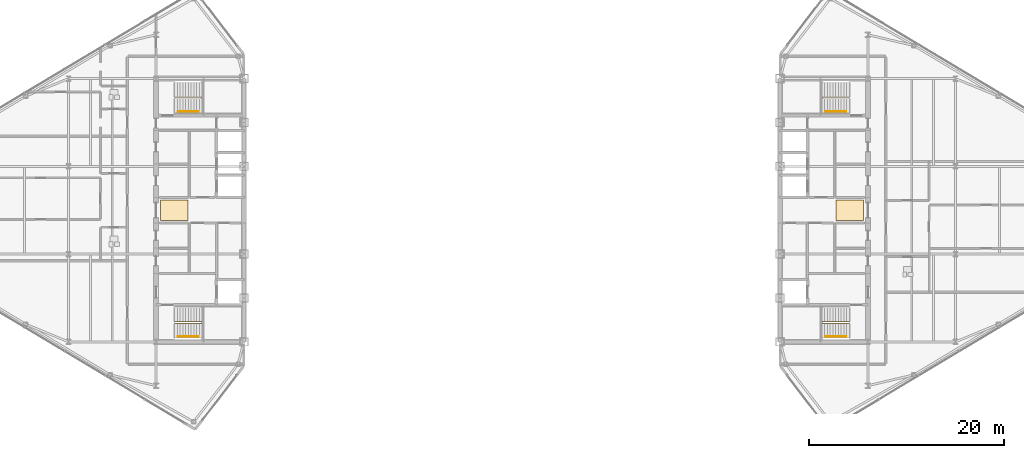
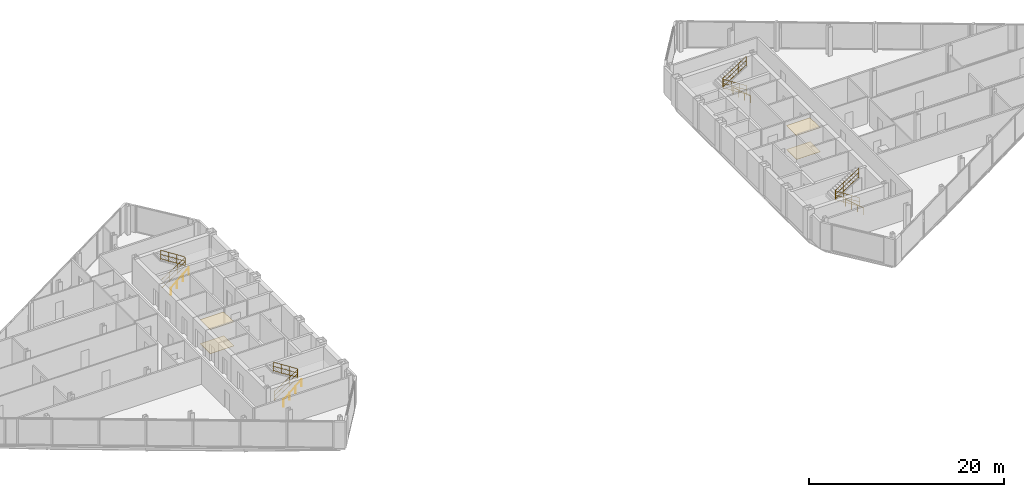
# One storey, part 25 of 26: 8 railings, 4 coverings.
"""IFC4 building model written with IfcOpenShell, lengths in metres."""

import ifcopenshell
import ifcopenshell.guid

model = None  # the IFC model being written
_history = None  # IfcOwnerHistory: only IFC2X3 demands one
_inside = {}  # id of a spatial element -> (the spatial element, [elements in it])
_under = {}  # id of a project, library or spatial element -> (it, [spatial elements below it])
_declared = {}  # id of a project -> (the project, [libraries it declares])
_typed = {}  # id of a type object -> (the type object, [elements of that type])
_made_of = {}  # id of a material, layer set ... -> (it, [elements and type objects made of it])


def new_model(schema):
    """Start an empty IFC model of exactly this schema.

    Asked for "IFC4X3", IfcOpenShell would pick the latest addendum, in which some entities
    have other attributes; the version numbers below select the first issue.
    IFC2X3 requires an IfcOwnerHistory on every rooted entity: one is made here for all.
    """
    global model, _history
    if schema == "IFC4X3":
        model = ifcopenshell.file(schema_version=(4, 3, 0, 0))
    else:
        model = ifcopenshell.file(schema=schema)
    _inside.clear()
    _under.clear()
    _declared.clear()
    _typed.clear()
    _made_of.clear()
    _history = None
    if model.schema == "IFC2X3":
        org = make("IfcOrganization", Name="unknown")
        user = make(
            "IfcPersonAndOrganization",
            ThePerson=make("IfcPerson", FamilyName="unknown"),
            TheOrganization=org,
        )
        app = make(
            "IfcApplication",
            ApplicationDeveloper=org,
            Version="unknown",
            ApplicationFullName="unknown",
            ApplicationIdentifier="unknown",
        )
        _history = make(
            "IfcOwnerHistory",
            OwningUser=user,
            OwningApplication=app,
            ChangeAction="ADDED",
            CreationDate=0,
        )
    return model


def make(cls, **values):
    """One entity of the class cls with the attributes given. An attribute that is None is left unset."""
    return model.create_entity(
        cls, **{name: value for name, value in values.items() if value is not None}
    )


def rooted(cls, **values):
    """An entity with a GlobalId (a new one), such as an element, a storey or a relation."""
    return make(cls, GlobalId=ifcopenshell.guid.new(), OwnerHistory=_history, **values)


def si_unit(unit_type, name, prefix=None):
    """IfcSIUnit, for example si_unit("LENGTHUNIT", "METRE", prefix="MILLI")."""
    return make("IfcSIUnit", UnitType=unit_type, Prefix=prefix, Name=name)


def assignment(units):
    """IfcUnitAssignment: the units of a project."""
    return None if units is None else make("IfcUnitAssignment", Units=units)


def point(xyz):
    """IfcCartesianPoint."""
    return None if xyz is None else make("IfcCartesianPoint", Coordinates=xyz)


def direction(xyz):
    """IfcDirection."""
    return None if xyz is None else make("IfcDirection", DirectionRatios=xyz)


def frame(location, z_axis=None, x_axis=None):
    """IfcAxis2Placement3D, a coordinate frame: its origin and axes. An axis left out is left unset."""
    return make(
        "IfcAxis2Placement3D",
        Location=point(location),
        Axis=direction(z_axis),
        RefDirection=direction(x_axis),
    )


def frame_2d(location, x_axis=None):
    """IfcAxis2Placement2D, a coordinate frame in the plane: its origin and x axis."""
    return make(
        "IfcAxis2Placement2D", Location=point(location), RefDirection=direction(x_axis)
    )


def origin():
    """The frame at (0, 0, 0) with its axes left unset."""
    return frame((0.0, 0.0, 0.0))


def origin_2d():
    """The frame at (0, 0) in the plane with its x axis left unset."""
    return frame_2d((0.0, 0.0))


def place(relative_to, where):
    """IfcLocalPlacement: puts the frame where relative to a parent placement (None: the world)."""
    return make(
        "IfcLocalPlacement", PlacementRelTo=relative_to, RelativePlacement=where
    )


def context(
    kind, dimensions, precision=None, world=None, true_north=None, identifier=None
):
    """IfcGeometricRepresentationContext, for example the 3D "Model" context."""
    return make(
        "IfcGeometricRepresentationContext",
        ContextIdentifier=identifier,
        ContextType=kind,
        CoordinateSpaceDimension=dimensions,
        Precision=precision,
        WorldCoordinateSystem=world,
        TrueNorth=true_north,
    )


def subcontext(parent, identifier, kind, view, scale=None):
    """IfcGeometricRepresentationSubContext, for example "Body" below "Model"."""
    return make(
        "IfcGeometricRepresentationSubContext",
        ContextIdentifier=identifier,
        ContextType=kind,
        ParentContext=parent,
        TargetScale=scale,
        TargetView=view,
    )


def project(units=None, contexts=None):
    """IfcProject with its units and contexts."""
    return rooted(
        "IfcProject",
        Name="project",
        RepresentationContexts=contexts,
        UnitsInContext=assignment(units),
    )


def spatial(cls, under=None, at=None, **own):
    """A site, building, storey or space (cls), placed at a placement, below another one or the project."""
    s = rooted(cls, ObjectPlacement=at, **own)
    if under is not None:
        _under.setdefault(under.id(), (under, []))[1].append(s)
    return s


def polyline(points):
    """IfcPolyline through the points."""
    return make("IfcPolyline", Points=[point(p) for p in points])


def profile(cls, at=None, kind="AREA", **sizes):
    """A parametric profile (cls). Its sizes go by their IFC names, for example OverallWidth=200.0."""
    return make(cls, ProfileType=kind, Position=at, **sizes)


def circle(**sizes):
    """IfcCircleProfileDef."""
    return profile("IfcCircleProfileDef", **sizes)


def outline(outer, holes=None, kind="AREA"):
    """IfcArbitraryClosedProfileDef: a profile drawn as a closed curve; with holes, ...WithVoids."""
    if holes is None:
        return make("IfcArbitraryClosedProfileDef", ProfileType=kind, OuterCurve=outer)
    return make(
        "IfcArbitraryProfileDefWithVoids",
        ProfileType=kind,
        OuterCurve=outer,
        InnerCurves=holes,
    )


def extrude(swept, where, along, depth):
    """IfcExtrudedAreaSolid: the profile swept, set in the frame where, extruded along a direction by depth."""
    return make(
        "IfcExtrudedAreaSolid",
        SweptArea=swept,
        Position=where,
        ExtrudedDirection=direction(along),
        Depth=depth,
    )


def shape(context_of_items, identifier, shape_type, items):
    """IfcShapeRepresentation: the items that make up one representation, for example the "Body"."""
    return make(
        "IfcShapeRepresentation",
        ContextOfItems=context_of_items,
        RepresentationIdentifier=identifier,
        RepresentationType=shape_type,
        Items=items,
    )


def material(Name=None, Category=None):
    """IfcMaterial."""
    return make("IfcMaterial", Name=Name, Category=Category)


def layer(
    of_material, thickness, ventilated=None, Name=None, Category=None, Priority=None
):
    """IfcMaterialLayer: one layer of a wall or slab, of a material (None: an air gap)."""
    return make(
        "IfcMaterialLayer",
        Material=of_material,
        LayerThickness=thickness,
        IsVentilated=ventilated,
        Name=Name,
        Category=Category,
        Priority=Priority,
    )


def layer_set(layers, Name=None):
    """IfcMaterialLayerSet."""
    return make("IfcMaterialLayerSet", MaterialLayers=layers, LayerSetName=Name)


def made_of(thing, what):
    """Note that an element or type object is made of a material, layer set ...; save() writes the relation."""
    if what is not None:
        _made_of.setdefault(what.id(), (what, []))[1].append(thing)
    return thing


def type_object(cls, material=None, **own):
    """A type object (cls), such as IfcWallType, which elements share."""
    return made_of(rooted(cls, **own), material)


def element(
    cls,
    number,
    at=None,
    inside=None,
    cuts=None,
    type_object=None,
    material=None,
    context=None,
    identifier="Body",
    shape_type=None,
    held_by="IfcProductDefinitionShape",
    body=None,
    shapes=None,
    **own,
):
    """One element of the class cls, such as IfcWall. Its Tag is "e" and its number.

    at: its placement. inside: the storey or other place that contains it. cuts: it is an
    opening in that element (IfcRelVoidsElement). A single representation is given by context,
    identifier, shape_type and body (its items); several are given by shapes. held_by: the class
    of the entity that holds the representations. save() writes the other relations.
    """
    e = rooted(cls, Tag="e%d" % number, ObjectPlacement=at, **own)
    if body is not None:
        shapes = [shape(context, identifier, shape_type, body)]
    if shapes is not None:
        e.Representation = make(held_by, Representations=shapes)
    if inside is not None:
        _inside.setdefault(inside.id(), (inside, []))[1].append(e)
    if cuts is not None:
        rooted(
            "IfcRelVoidsElement", RelatingBuildingElement=cuts, RelatedOpeningElement=e
        )
    if type_object is not None:
        _typed.setdefault(type_object.id(), (type_object, []))[1].append(e)
    return made_of(e, material)


def aggregate(whole, parts):
    """IfcRelAggregates: a whole, such as a stair, and the parts it consists of."""
    return rooted("IfcRelAggregates", RelatingObject=whole, RelatedObjects=parts)


def save(model, path):
    """Write the relations noted so far, then the file.

    IfcRelAggregates (storeys below a building ...), IfcRelContainedInSpatialStructure (elements
    in a storey), IfcRelDefinesByType, IfcRelAssociatesMaterial and IfcRelDeclares: one each for
    every whole, place, type object, material and project.
    """
    for whole, parts in _under.values():
        aggregate(whole, parts)
    for where, things in _inside.values():
        rooted(
            "IfcRelContainedInSpatialStructure",
            RelatedElements=things,
            RelatingStructure=where,
        )
    for kind, things in _typed.values():
        rooted("IfcRelDefinesByType", RelatedObjects=things, RelatingType=kind)
    for what, things in _made_of.values():
        rooted("IfcRelAssociatesMaterial", RelatedObjects=things, RelatingMaterial=what)
    for by, libraries in _declared.values():
        rooted("IfcRelDeclares", RelatingContext=by, RelatedDefinitions=libraries)
    model.write(path)


model = new_model("IFC4")

# Units and contexts
model_context = context("Model", 3, precision=1e-05, world=origin(), true_north=direction((0.0, 1.0)))
body_context = subcontext(model_context, "Body", "Model", "MODEL_VIEW")
ifc_project = project(units=[si_unit("LENGTHUNIT", "METRE"), si_unit("AREAUNIT", "SQUARE_METRE"), si_unit("VOLUMEUNIT", "CUBIC_METRE"), si_unit("PLANEANGLEUNIT", "RADIAN"), si_unit("MASSUNIT", "GRAM", prefix="KILO")], contexts=[model_context])

# Site, building, storey
site_placement = place(None, origin())
site = spatial("IfcSite", under=ifc_project, at=site_placement, CompositionType="ELEMENT")
building_placement = place(site_placement, origin())
building = spatial("IfcBuilding", under=site, at=building_placement, Name="Seokmaru Belvedere", CompositionType="ELEMENT")
storey_placement = place(building_placement, frame((0.0, 0.0, 221.10009765625)))
storey = spatial("IfcBuildingStorey", under=building, at=storey_placement, Name="L59", CompositionType="ELEMENT", Elevation=221.10009765625)

# Coverings
ifc_material_1 = material(Name="Engineered White Oak Timber", Category="wood")
ifc_layer_1 = layer(ifc_material_1, 0.02197265625)
ifc_layer_set_1 = layer_set([ifc_layer_1], Name="Engineered White Oak Timber")
covering_type_1 = type_object("IfcCoveringType", Name="Engineered Oak Residence Floor Finish 22", PredefinedType="FLOORING", material=ifc_layer_set_1)
covering_1_placement = place(storey_placement, origin())
element("IfcCovering", 1, at=covering_1_placement, inside=storey, type_object=covering_type_1, Name="L59 W Foyer Floor Finish", PredefinedType="FLOORING", context=body_context, shape_type="SweptSolid", body=[
    extrude(outline(polyline([(-36.050048828125, -1.050048828125), (-33.25, -1.050048828125), (-33.25, 1.050048828125), (-36.050048828125, 1.050048828125), (-36.050048828125, -1.050048828125)])), origin(), (0.0, 0.0, 1.0), 0.02197265625),
])
covering_2_placement = place(storey_placement, origin())
element("IfcCovering", 2, at=covering_2_placement, inside=storey, type_object=covering_type_1, Name="L59 E Foyer Floor Finish", PredefinedType="FLOORING", context=body_context, shape_type="SweptSolid", body=[
    extrude(outline(polyline([(33.25, -1.050048828125), (36.050048828125, -1.050048828125), (36.050048828125, 1.050048828125), (33.25, 1.050048828125), (33.25, -1.050048828125)])), origin(), (0.0, 0.0, 1.0), 0.02197265625),
])
ifc_material_2 = material(Name="Fire-Rated Gypsum Shaftwall")
ifc_layer_2 = layer(ifc_material_2, 0.02490234375)
ifc_layer_set_2 = layer_set([ifc_layer_2], Name="Fire-Rated Gypsum Shaftwall")
covering_type_2 = type_object("IfcCoveringType", Name="Perforated Acoustic Gypsum Suspended Ceiling 25", PredefinedType="CEILING", material=ifc_layer_set_2)
covering_3_placement = place(storey_placement, frame((0.0, 0.0, 2.989990234375)))
element("IfcCovering", 3, at=covering_3_placement, inside=storey, type_object=covering_type_2, Name="L59 W Lift Foyer Acoustic Ceiling", PredefinedType="CEILING", context=body_context, shape_type="SweptSolid", body=[
    extrude(outline(polyline([(-36.050048828125, -1.050048828125), (-33.25, -1.050048828125), (-33.25, 1.050048828125), (-36.050048828125, 1.050048828125), (-36.050048828125, -1.050048828125)])), origin(), (0.0, 0.0, 1.0), 0.02490234375),
])
covering_4_placement = place(storey_placement, frame((0.0, 0.0, 2.989990234375)))
element("IfcCovering", 4, at=covering_4_placement, inside=storey, type_object=covering_type_2, Name="L59 E Lift Foyer Acoustic Ceiling", PredefinedType="CEILING", context=body_context, shape_type="SweptSolid", body=[
    extrude(outline(polyline([(33.25, -1.050048828125), (36.050048828125, -1.050048828125), (36.050048828125, 1.050048828125), (33.25, 1.050048828125), (33.25, -1.050048828125)])), origin(), (0.0, 0.0, 1.0), 0.02490234375),
])

# Railings
ifc_material_3 = material(Name="Stainless Steel 316", Category="steel")
railing_type_1 = type_object("IfcRailingType", Name="Stainless Steel Wall and Flight Handrail 900", PredefinedType="HANDRAIL", material=ifc_material_3)
for number, where, name in (
    (5, (-34.25, -12.949951171875, 0.0), "L59 Stair ST-W1 Wall Handrail"),
    (6, (-34.25, 10.110107421875, 0.0), "L59 Stair ST-W2 Wall Handrail"),
):
    element("IfcRailing", number, at=place(storey_placement, frame(where)), inside=storey, type_object=railing_type_1, Name=name, PredefinedType="HANDRAIL", context=body_context, shape_type="SweptSolid", body=[
        extrude(circle(Radius=0.02392578125, at=origin_2d()), frame((0.0, 0.0, 0.8759765625), z_axis=(0.759306447245, 0.0, 0.650733216588), x_axis=(0.0, 1.0, 0.0)), (0.0, 0.0, 1.0), 2.765869140625),
        extrude(circle(Radius=0.02099609375, at=origin_2d()), origin(), (0.0, 0.0, 1.0), 0.851806640625),
        extrude(circle(Radius=0.02099609375, at=origin_2d()), frame((0.699951171875, 0.0, 0.599853515625)), (0.0, 0.0, 1.0), 0.851806640625),
        extrude(circle(Radius=0.02099609375, at=origin_2d()), frame((1.400146484375, 0.0, 1.199951171875)), (0.0, 0.0, 1.0), 0.851806640625),
        extrude(circle(Radius=0.02099609375, at=origin_2d()), frame((2.10009765625, 0.0, 1.7998046875)), (0.0, 0.0, 1.0), 0.851806640625),
    ])
for number, where, name in (
    (7, (34.25, -12.949951171875, 0.0), "L59 Stair ST-E1 Wall Handrail"),
    (8, (34.25, 10.110107421875, 0.0), "L59 Stair ST-E2 Wall Handrail"),
):
    element("IfcRailing", number, at=place(storey_placement, frame(where)), inside=storey, type_object=railing_type_1, Name=name, PredefinedType="HANDRAIL", context=body_context, shape_type="SweptSolid", body=[
        extrude(circle(Radius=0.02392578125, at=origin_2d()), frame((0.0, 0.0, 0.8759765625), z_axis=(-0.759306447245, 0.0, 0.650733216588), x_axis=(0.0, -1.0, 0.0)), (0.0, 0.0, 1.0), 2.765869140625),
        extrude(circle(Radius=0.02099609375, at=origin_2d()), origin(), (0.0, 0.0, 1.0), 0.851806640625),
        extrude(circle(Radius=0.02099609375, at=origin_2d()), frame((-0.699951171875, 0.0, 0.599853515625)), (0.0, 0.0, 1.0), 0.851806640625),
        extrude(circle(Radius=0.02099609375, at=origin_2d()), frame((-1.400146484375, 0.0, 1.199951171875)), (0.0, 0.0, 1.0), 0.851806640625),
        extrude(circle(Radius=0.02099609375, at=origin_2d()), frame((-2.10009765625, 0.0, 1.7998046875)), (0.0, 0.0, 1.0), 0.851806640625),
    ])
railing_type_2 = type_object("IfcRailingType", Name="Stair Well and Atrium Steel Guardrail 1200", PredefinedType="GUARDRAIL", material=ifc_material_3)
railing_1_placement = place(storey_placement, frame((-34.60009765625, -11.60009765625, 0.0)))
element("IfcRailing", 9, at=railing_1_placement, inside=storey, type_object=railing_type_2, Name="L59 Stair ST-W1 Inner Well Guardrail", PredefinedType="GUARDRAIL", context=body_context, shape_type="SweptSolid", body=[
    extrude(circle(Radius=0.02392578125, at=origin_2d()), frame((0.0, 0.0, 1.17578125), z_axis=(0.841209454229, 0.0, 0.540709398952), x_axis=(0.0, 1.0, 0.0)), (0.0, 0.0, 1.0), 3.32861328125),
    extrude(circle(Radius=0.02392578125, at=origin_2d()), frame((0.0, 0.0, 0.1201171875), z_axis=(0.841209454229, 0.0, 0.540709398952), x_axis=(0.0, 1.0, 0.0)), (0.0, 0.0, 1.0), 3.32861328125),
    extrude(circle(Radius=0.02392578125, at=origin_2d()), frame((0.0, 0.0, 0.659912109375), z_axis=(0.841209454229, 0.0, 0.540709398952), x_axis=(0.0, 1.0, 0.0)), (0.0, 0.0, 1.0), 3.32861328125),
    extrude(circle(Radius=0.02392578125, at=origin_2d()), frame((2.800048828125, 0.0, 2.9755859375), z_axis=(0.0, 1.0, 0.0), x_axis=(-1.0, 0.0, 0.0)), (0.0, 0.0, 1.0), 0.14013671875),
    extrude(circle(Radius=0.02392578125, at=origin_2d()), frame((2.800048828125, 0.0, 1.919921875), z_axis=(0.0, 1.0, 0.0), x_axis=(-1.0, 0.0, 0.0)), (0.0, 0.0, 1.0), 0.14013671875),
    extrude(circle(Radius=0.02392578125, at=origin_2d()), frame((2.800048828125, 0.0, 2.459716796875), z_axis=(0.0, 1.0, 0.0), x_axis=(-1.0, 0.0, 0.0)), (0.0, 0.0, 1.0), 0.14013671875),
    extrude(circle(Radius=0.02392578125, at=origin_2d()), frame((2.800048828125, 0.14013671875, 2.9755859375), z_axis=(-0.841176092368, 0.0, 0.540761298198), x_axis=(0.0, -1.0, 0.0)), (0.0, 0.0, 1.0), 3.32861328125),
    extrude(circle(Radius=0.02392578125, at=origin_2d()), frame((2.800048828125, 0.14013671875, 1.919921875), z_axis=(-0.841176092368, 0.0, 0.540761298198), x_axis=(0.0, -1.0, 0.0)), (0.0, 0.0, 1.0), 3.32861328125),
    extrude(circle(Radius=0.02392578125, at=origin_2d()), frame((2.800048828125, 0.14013671875, 2.459716796875), z_axis=(-0.841176092368, 0.0, 0.540761298198), x_axis=(0.0, -1.0, 0.0)), (0.0, 0.0, 1.0), 3.32861328125),
    extrude(circle(Radius=0.02099609375, at=origin_2d()), origin(), (0.0, 0.0, 1.0), 1.15185546875),
    extrude(circle(Radius=0.02099609375, at=origin_2d()), frame((0.933349609375, 0.0, 0.599853515625)), (0.0, 0.0, 1.0), 1.15185546875),
    extrude(circle(Radius=0.02099609375, at=origin_2d()), frame((1.86669921875, 0.0, 1.199951171875)), (0.0, 0.0, 1.0), 1.15185546875),
    extrude(circle(Radius=0.02099609375, at=origin_2d()), frame((2.800048828125, 0.0, 1.7998046875)), (0.0, 0.0, 1.0), 1.15185546875),
    extrude(circle(Radius=0.02099609375, at=origin_2d()), frame((2.800048828125, 0.14013671875, 1.7998046875)), (0.0, 0.0, 1.0), 1.15185546875),
    extrude(circle(Radius=0.02099609375, at=origin_2d()), frame((1.86669921875, 0.14013671875, 2.39990234375)), (0.0, 0.0, 1.0), 1.15185546875),
    extrude(circle(Radius=0.02099609375, at=origin_2d()), frame((0.933349609375, 0.14013671875, 2.999755859375)), (0.0, 0.0, 1.0), 1.15185546875),
    extrude(circle(Radius=0.02099609375, at=origin_2d()), frame((0.0, 0.14013671875, 3.599853515625)), (0.0, 0.0, 1.0), 1.15185546875),
])
railing_2_placement = place(storey_placement, frame((-34.60009765625, 11.4599609375, 0.0)))
element("IfcRailing", 10, at=railing_2_placement, inside=storey, type_object=railing_type_2, Name="L59 Stair ST-W2 Inner Well Guardrail", PredefinedType="GUARDRAIL", context=body_context, shape_type="SweptSolid", body=[
    extrude(circle(Radius=0.02392578125, at=origin_2d()), frame((0.0, 0.0, 1.17578125), z_axis=(0.841209454229, 0.0, 0.540709398952), x_axis=(0.0, 1.0, 0.0)), (0.0, 0.0, 1.0), 3.32861328125),
    extrude(circle(Radius=0.02392578125, at=origin_2d()), frame((0.0, 0.0, 0.1201171875), z_axis=(0.841209454229, 0.0, 0.540709398952), x_axis=(0.0, 1.0, 0.0)), (0.0, 0.0, 1.0), 3.32861328125),
    extrude(circle(Radius=0.02392578125, at=origin_2d()), frame((0.0, 0.0, 0.659912109375), z_axis=(0.841209454229, 0.0, 0.540709398952), x_axis=(0.0, 1.0, 0.0)), (0.0, 0.0, 1.0), 3.32861328125),
    extrude(circle(Radius=0.02392578125, at=origin_2d()), frame((2.800048828125, 0.0, 2.9755859375), z_axis=(0.0, 1.0, 0.0), x_axis=(-1.0, 0.0, 0.0)), (0.0, 0.0, 1.0), 0.14013671875),
    extrude(circle(Radius=0.02392578125, at=origin_2d()), frame((2.800048828125, 0.0, 1.919921875), z_axis=(0.0, 1.0, 0.0), x_axis=(-1.0, 0.0, 0.0)), (0.0, 0.0, 1.0), 0.14013671875),
    extrude(circle(Radius=0.02392578125, at=origin_2d()), frame((2.800048828125, 0.0, 2.459716796875), z_axis=(0.0, 1.0, 0.0), x_axis=(-1.0, 0.0, 0.0)), (0.0, 0.0, 1.0), 0.14013671875),
    extrude(circle(Radius=0.02392578125, at=origin_2d()), frame((2.800048828125, 0.14013671875, 2.9755859375), z_axis=(-0.841176092368, 0.0, 0.540761298198), x_axis=(0.0, -1.0, 0.0)), (0.0, 0.0, 1.0), 3.32861328125),
    extrude(circle(Radius=0.02392578125, at=origin_2d()), frame((2.800048828125, 0.14013671875, 1.919921875), z_axis=(-0.841176092368, 0.0, 0.540761298198), x_axis=(0.0, -1.0, 0.0)), (0.0, 0.0, 1.0), 3.32861328125),
    extrude(circle(Radius=0.02392578125, at=origin_2d()), frame((2.800048828125, 0.14013671875, 2.459716796875), z_axis=(-0.841176092368, 0.0, 0.540761298198), x_axis=(0.0, -1.0, 0.0)), (0.0, 0.0, 1.0), 3.32861328125),
    extrude(circle(Radius=0.02099609375, at=origin_2d()), origin(), (0.0, 0.0, 1.0), 1.15185546875),
    extrude(circle(Radius=0.02099609375, at=origin_2d()), frame((0.933349609375, 0.0, 0.599853515625)), (0.0, 0.0, 1.0), 1.15185546875),
    extrude(circle(Radius=0.02099609375, at=origin_2d()), frame((1.86669921875, 0.0, 1.199951171875)), (0.0, 0.0, 1.0), 1.15185546875),
    extrude(circle(Radius=0.02099609375, at=origin_2d()), frame((2.800048828125, 0.0, 1.7998046875)), (0.0, 0.0, 1.0), 1.15185546875),
    extrude(circle(Radius=0.02099609375, at=origin_2d()), frame((2.800048828125, 0.14013671875, 1.7998046875)), (0.0, 0.0, 1.0), 1.15185546875),
    extrude(circle(Radius=0.02099609375, at=origin_2d()), frame((1.86669921875, 0.14013671875, 2.39990234375)), (0.0, 0.0, 1.0), 1.15185546875),
    extrude(circle(Radius=0.02099609375, at=origin_2d()), frame((0.933349609375, 0.14013671875, 2.999755859375)), (0.0, 0.0, 1.0), 1.15185546875),
    extrude(circle(Radius=0.02099609375, at=origin_2d()), frame((0.0, 0.14013671875, 3.599853515625)), (0.0, 0.0, 1.0), 1.15185546875),
])
railing_3_placement = place(storey_placement, frame((34.60009765625, -11.60009765625, 0.0)))
element("IfcRailing", 11, at=railing_3_placement, inside=storey, type_object=railing_type_2, Name="L59 Stair ST-E1 Inner Well Guardrail", PredefinedType="GUARDRAIL", context=body_context, shape_type="SweptSolid", body=[
    extrude(circle(Radius=0.02392578125, at=origin_2d()), frame((0.0, 0.0, 1.17578125), z_axis=(-0.841209454229, 0.0, 0.540709398952), x_axis=(0.0, -1.0, 0.0)), (0.0, 0.0, 1.0), 3.32861328125),
    extrude(circle(Radius=0.02392578125, at=origin_2d()), frame((0.0, 0.0, 0.1201171875), z_axis=(-0.841209454229, 0.0, 0.540709398952), x_axis=(0.0, -1.0, 0.0)), (0.0, 0.0, 1.0), 3.32861328125),
    extrude(circle(Radius=0.02392578125, at=origin_2d()), frame((0.0, 0.0, 0.659912109375), z_axis=(-0.841209454229, 0.0, 0.540709398952), x_axis=(0.0, -1.0, 0.0)), (0.0, 0.0, 1.0), 3.32861328125),
    extrude(circle(Radius=0.02392578125, at=origin_2d()), frame((-2.800048828125, 0.0, 2.9755859375), z_axis=(0.0, 1.0, 0.0), x_axis=(-1.0, 0.0, 0.0)), (0.0, 0.0, 1.0), 0.14013671875),
    extrude(circle(Radius=0.02392578125, at=origin_2d()), frame((-2.800048828125, 0.0, 1.919921875), z_axis=(0.0, 1.0, 0.0), x_axis=(-1.0, 0.0, 0.0)), (0.0, 0.0, 1.0), 0.14013671875),
    extrude(circle(Radius=0.02392578125, at=origin_2d()), frame((-2.800048828125, 0.0, 2.459716796875), z_axis=(0.0, 1.0, 0.0), x_axis=(-1.0, 0.0, 0.0)), (0.0, 0.0, 1.0), 0.14013671875),
    extrude(circle(Radius=0.02392578125, at=origin_2d()), frame((-2.800048828125, 0.14013671875, 2.9755859375), z_axis=(0.841176092368, 0.0, 0.540761298198), x_axis=(0.0, 1.0, 0.0)), (0.0, 0.0, 1.0), 3.32861328125),
    extrude(circle(Radius=0.02392578125, at=origin_2d()), frame((-2.800048828125, 0.14013671875, 1.919921875), z_axis=(0.841176092368, 0.0, 0.540761298198), x_axis=(0.0, 1.0, 0.0)), (0.0, 0.0, 1.0), 3.32861328125),
    extrude(circle(Radius=0.02392578125, at=origin_2d()), frame((-2.800048828125, 0.14013671875, 2.459716796875), z_axis=(0.841176092368, 0.0, 0.540761298198), x_axis=(0.0, 1.0, 0.0)), (0.0, 0.0, 1.0), 3.32861328125),
    extrude(circle(Radius=0.02099609375, at=origin_2d()), origin(), (0.0, 0.0, 1.0), 1.15185546875),
    extrude(circle(Radius=0.02099609375, at=origin_2d()), frame((-0.933349609375, 0.0, 0.599853515625)), (0.0, 0.0, 1.0), 1.15185546875),
    extrude(circle(Radius=0.02099609375, at=origin_2d()), frame((-1.86669921875, 0.0, 1.199951171875)), (0.0, 0.0, 1.0), 1.15185546875),
    extrude(circle(Radius=0.02099609375, at=origin_2d()), frame((-2.800048828125, 0.0, 1.7998046875)), (0.0, 0.0, 1.0), 1.15185546875),
    extrude(circle(Radius=0.02099609375, at=origin_2d()), frame((-2.800048828125, 0.14013671875, 1.7998046875)), (0.0, 0.0, 1.0), 1.15185546875),
    extrude(circle(Radius=0.02099609375, at=origin_2d()), frame((-1.86669921875, 0.14013671875, 2.39990234375)), (0.0, 0.0, 1.0), 1.15185546875),
    extrude(circle(Radius=0.02099609375, at=origin_2d()), frame((-0.933349609375, 0.14013671875, 2.999755859375)), (0.0, 0.0, 1.0), 1.15185546875),
    extrude(circle(Radius=0.02099609375, at=origin_2d()), frame((0.0, 0.14013671875, 3.599853515625)), (0.0, 0.0, 1.0), 1.15185546875),
])
railing_4_placement = place(storey_placement, frame((34.60009765625, 11.4599609375, 0.0)))
element("IfcRailing", 12, at=railing_4_placement, inside=storey, type_object=railing_type_2, Name="L59 Stair ST-E2 Inner Well Guardrail", PredefinedType="GUARDRAIL", context=body_context, shape_type="SweptSolid", body=[
    extrude(circle(Radius=0.02392578125, at=origin_2d()), frame((0.0, 0.0, 1.17578125), z_axis=(-0.841209454229, 0.0, 0.540709398952), x_axis=(0.0, -1.0, 0.0)), (0.0, 0.0, 1.0), 3.32861328125),
    extrude(circle(Radius=0.02392578125, at=origin_2d()), frame((0.0, 0.0, 0.1201171875), z_axis=(-0.841209454229, 0.0, 0.540709398952), x_axis=(0.0, -1.0, 0.0)), (0.0, 0.0, 1.0), 3.32861328125),
    extrude(circle(Radius=0.02392578125, at=origin_2d()), frame((0.0, 0.0, 0.659912109375), z_axis=(-0.841209454229, 0.0, 0.540709398952), x_axis=(0.0, -1.0, 0.0)), (0.0, 0.0, 1.0), 3.32861328125),
    extrude(circle(Radius=0.02392578125, at=origin_2d()), frame((-2.800048828125, 0.0, 2.9755859375), z_axis=(0.0, 1.0, 0.0), x_axis=(-1.0, 0.0, 0.0)), (0.0, 0.0, 1.0), 0.14013671875),
    extrude(circle(Radius=0.02392578125, at=origin_2d()), frame((-2.800048828125, 0.0, 1.919921875), z_axis=(0.0, 1.0, 0.0), x_axis=(-1.0, 0.0, 0.0)), (0.0, 0.0, 1.0), 0.14013671875),
    extrude(circle(Radius=0.02392578125, at=origin_2d()), frame((-2.800048828125, 0.0, 2.459716796875), z_axis=(0.0, 1.0, 0.0), x_axis=(-1.0, 0.0, 0.0)), (0.0, 0.0, 1.0), 0.14013671875),
    extrude(circle(Radius=0.02392578125, at=origin_2d()), frame((-2.800048828125, 0.14013671875, 2.9755859375), z_axis=(0.841176092368, 0.0, 0.540761298198), x_axis=(0.0, 1.0, 0.0)), (0.0, 0.0, 1.0), 3.32861328125),
    extrude(circle(Radius=0.02392578125, at=origin_2d()), frame((-2.800048828125, 0.14013671875, 1.919921875), z_axis=(0.841176092368, 0.0, 0.540761298198), x_axis=(0.0, 1.0, 0.0)), (0.0, 0.0, 1.0), 3.32861328125),
    extrude(circle(Radius=0.02392578125, at=origin_2d()), frame((-2.800048828125, 0.14013671875, 2.459716796875), z_axis=(0.841176092368, 0.0, 0.540761298198), x_axis=(0.0, 1.0, 0.0)), (0.0, 0.0, 1.0), 3.32861328125),
    extrude(circle(Radius=0.02099609375, at=origin_2d()), origin(), (0.0, 0.0, 1.0), 1.15185546875),
    extrude(circle(Radius=0.02099609375, at=origin_2d()), frame((-0.933349609375, 0.0, 0.599853515625)), (0.0, 0.0, 1.0), 1.15185546875),
    extrude(circle(Radius=0.02099609375, at=origin_2d()), frame((-1.86669921875, 0.0, 1.199951171875)), (0.0, 0.0, 1.0), 1.15185546875),
    extrude(circle(Radius=0.02099609375, at=origin_2d()), frame((-2.800048828125, 0.0, 1.7998046875)), (0.0, 0.0, 1.0), 1.15185546875),
    extrude(circle(Radius=0.02099609375, at=origin_2d()), frame((-2.800048828125, 0.14013671875, 1.7998046875)), (0.0, 0.0, 1.0), 1.15185546875),
    extrude(circle(Radius=0.02099609375, at=origin_2d()), frame((-1.86669921875, 0.14013671875, 2.39990234375)), (0.0, 0.0, 1.0), 1.15185546875),
    extrude(circle(Radius=0.02099609375, at=origin_2d()), frame((-0.933349609375, 0.14013671875, 2.999755859375)), (0.0, 0.0, 1.0), 1.15185546875),
    extrude(circle(Radius=0.02099609375, at=origin_2d()), frame((0.0, 0.14013671875, 3.599853515625)), (0.0, 0.0, 1.0), 1.15185546875),
])

save(model, "model.ifc")
